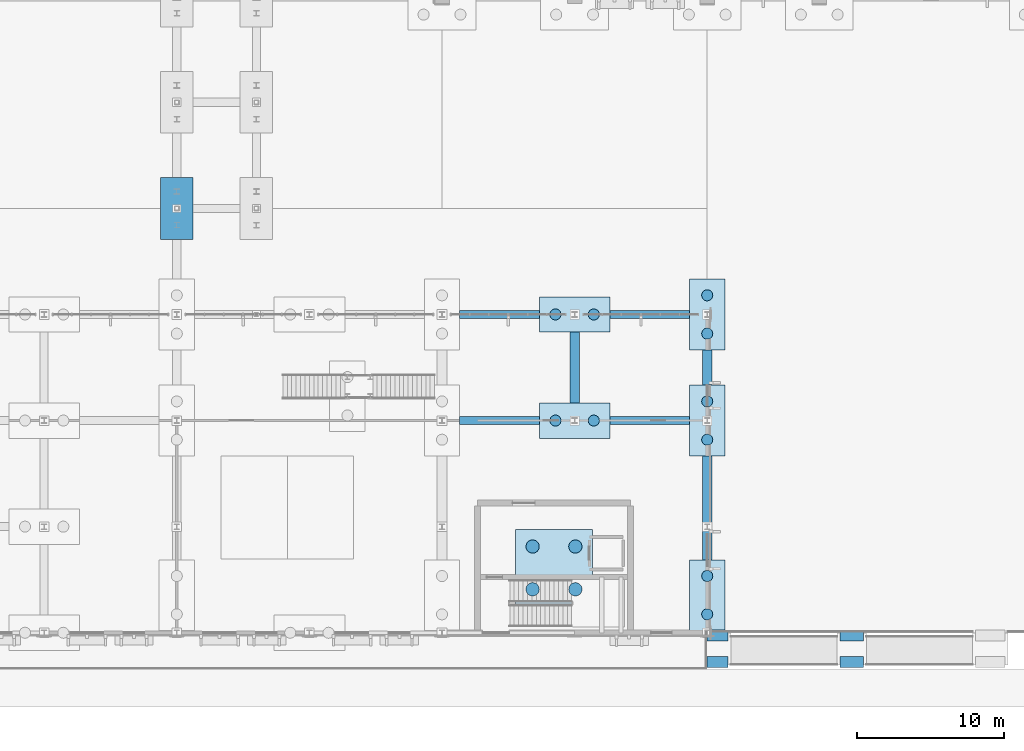
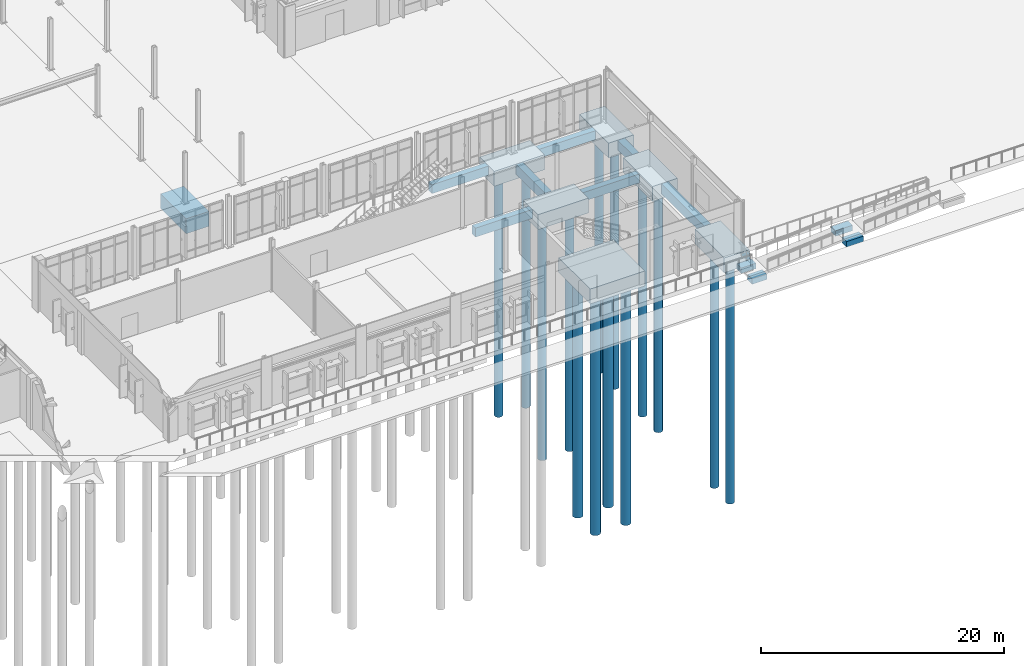
# One storey, part 5 of 94: 18 footings, 14 piles.
"""IFC4 building model written with IfcOpenShell, lengths in metres."""

import ifcopenshell
import ifcopenshell.guid

model = None  # the IFC model being written
_history = None  # IfcOwnerHistory: only IFC2X3 demands one
_inside = {}  # id of a spatial element -> (the spatial element, [elements in it])
_under = {}  # id of a project, library or spatial element -> (it, [spatial elements below it])
_declared = {}  # id of a project -> (the project, [libraries it declares])
_typed = {}  # id of a type object -> (the type object, [elements of that type])
_made_of = {}  # id of a material, layer set ... -> (it, [elements and type objects made of it])


def new_model(schema):
    """Start an empty IFC model of exactly this schema.

    Asked for "IFC4X3", IfcOpenShell would pick the latest addendum, in which some entities
    have other attributes; the version numbers below select the first issue.
    IFC2X3 requires an IfcOwnerHistory on every rooted entity: one is made here for all.
    """
    global model, _history
    if schema == "IFC4X3":
        model = ifcopenshell.file(schema_version=(4, 3, 0, 0))
    else:
        model = ifcopenshell.file(schema=schema)
    _inside.clear()
    _under.clear()
    _declared.clear()
    _typed.clear()
    _made_of.clear()
    _history = None
    if model.schema == "IFC2X3":
        org = make("IfcOrganization", Name="unknown")
        user = make(
            "IfcPersonAndOrganization",
            ThePerson=make("IfcPerson", FamilyName="unknown"),
            TheOrganization=org,
        )
        app = make(
            "IfcApplication",
            ApplicationDeveloper=org,
            Version="unknown",
            ApplicationFullName="unknown",
            ApplicationIdentifier="unknown",
        )
        _history = make(
            "IfcOwnerHistory",
            OwningUser=user,
            OwningApplication=app,
            ChangeAction="ADDED",
            CreationDate=0,
        )
    return model


def make(cls, **values):
    """One entity of the class cls with the attributes given. An attribute that is None is left unset."""
    return model.create_entity(
        cls, **{name: value for name, value in values.items() if value is not None}
    )


def rooted(cls, **values):
    """An entity with a GlobalId (a new one), such as an element, a storey or a relation."""
    return make(cls, GlobalId=ifcopenshell.guid.new(), OwnerHistory=_history, **values)


def si_unit(unit_type, name, prefix=None):
    """IfcSIUnit, for example si_unit("LENGTHUNIT", "METRE", prefix="MILLI")."""
    return make("IfcSIUnit", UnitType=unit_type, Prefix=prefix, Name=name)


def assignment(units):
    """IfcUnitAssignment: the units of a project."""
    return None if units is None else make("IfcUnitAssignment", Units=units)


def point(xyz):
    """IfcCartesianPoint."""
    return None if xyz is None else make("IfcCartesianPoint", Coordinates=xyz)


def direction(xyz):
    """IfcDirection."""
    return None if xyz is None else make("IfcDirection", DirectionRatios=xyz)


def frame(location, z_axis=None, x_axis=None):
    """IfcAxis2Placement3D, a coordinate frame: its origin and axes. An axis left out is left unset."""
    return make(
        "IfcAxis2Placement3D",
        Location=point(location),
        Axis=direction(z_axis),
        RefDirection=direction(x_axis),
    )


def frame_2d(location, x_axis=None):
    """IfcAxis2Placement2D, a coordinate frame in the plane: its origin and x axis."""
    return make(
        "IfcAxis2Placement2D", Location=point(location), RefDirection=direction(x_axis)
    )


def origin():
    """The frame at (0, 0, 0) with its axes left unset."""
    return frame((0.0, 0.0, 0.0))


def origin_2d():
    """The frame at (0, 0) in the plane with its x axis left unset."""
    return frame_2d((0.0, 0.0))


def place(relative_to, where):
    """IfcLocalPlacement: puts the frame where relative to a parent placement (None: the world)."""
    return make(
        "IfcLocalPlacement", PlacementRelTo=relative_to, RelativePlacement=where
    )


def context(
    kind, dimensions, precision=None, world=None, true_north=None, identifier=None
):
    """IfcGeometricRepresentationContext, for example the 3D "Model" context."""
    return make(
        "IfcGeometricRepresentationContext",
        ContextIdentifier=identifier,
        ContextType=kind,
        CoordinateSpaceDimension=dimensions,
        Precision=precision,
        WorldCoordinateSystem=world,
        TrueNorth=true_north,
    )


def subcontext(parent, identifier, kind, view, scale=None):
    """IfcGeometricRepresentationSubContext, for example "Body" below "Model"."""
    return make(
        "IfcGeometricRepresentationSubContext",
        ContextIdentifier=identifier,
        ContextType=kind,
        ParentContext=parent,
        TargetScale=scale,
        TargetView=view,
    )


def project(units=None, contexts=None):
    """IfcProject with its units and contexts."""
    return rooted(
        "IfcProject",
        Name="project",
        RepresentationContexts=contexts,
        UnitsInContext=assignment(units),
    )


def spatial(cls, under=None, at=None, **own):
    """A site, building, storey or space (cls), placed at a placement, below another one or the project."""
    s = rooted(cls, ObjectPlacement=at, **own)
    if under is not None:
        _under.setdefault(under.id(), (under, []))[1].append(s)
    return s


def profile(cls, at=None, kind="AREA", **sizes):
    """A parametric profile (cls). Its sizes go by their IFC names, for example OverallWidth=200.0."""
    return make(cls, ProfileType=kind, Position=at, **sizes)


def rectangle(**sizes):
    """IfcRectangleProfileDef."""
    return profile("IfcRectangleProfileDef", **sizes)


def circle(**sizes):
    """IfcCircleProfileDef."""
    return profile("IfcCircleProfileDef", **sizes)


def extrude(swept, where, along, depth):
    """IfcExtrudedAreaSolid: the profile swept, set in the frame where, extruded along a direction by depth."""
    return make(
        "IfcExtrudedAreaSolid",
        SweptArea=swept,
        Position=where,
        ExtrudedDirection=direction(along),
        Depth=depth,
    )


def shape(context_of_items, identifier, shape_type, items):
    """IfcShapeRepresentation: the items that make up one representation, for example the "Body"."""
    return make(
        "IfcShapeRepresentation",
        ContextOfItems=context_of_items,
        RepresentationIdentifier=identifier,
        RepresentationType=shape_type,
        Items=items,
    )


def material(Name=None, Category=None):
    """IfcMaterial."""
    return make("IfcMaterial", Name=Name, Category=Category)


def material_profile(
    of_material, cross_section, Name=None, Category=None, Priority=None
):
    """IfcMaterialProfile: a cross section and its material."""
    return make(
        "IfcMaterialProfile",
        Name=Name,
        Material=of_material,
        Profile=cross_section,
        Priority=Priority,
        Category=Category,
    )


def profile_set(profiles, Name=None, composite=None):
    """IfcMaterialProfileSet."""
    return make(
        "IfcMaterialProfileSet",
        Name=Name,
        MaterialProfiles=profiles,
        CompositeProfile=composite,
    )


def made_of(thing, what):
    """Note that an element or type object is made of a material, layer set ...; save() writes the relation."""
    if what is not None:
        _made_of.setdefault(what.id(), (what, []))[1].append(thing)
    return thing


def type_object(cls, material=None, **own):
    """A type object (cls), such as IfcWallType, which elements share."""
    return made_of(rooted(cls, **own), material)


def element(
    cls,
    number,
    at=None,
    inside=None,
    cuts=None,
    type_object=None,
    material=None,
    context=None,
    identifier="Body",
    shape_type=None,
    held_by="IfcProductDefinitionShape",
    body=None,
    shapes=None,
    **own,
):
    """One element of the class cls, such as IfcWall. Its Tag is "e" and its number.

    at: its placement. inside: the storey or other place that contains it. cuts: it is an
    opening in that element (IfcRelVoidsElement). A single representation is given by context,
    identifier, shape_type and body (its items); several are given by shapes. held_by: the class
    of the entity that holds the representations. save() writes the other relations.
    """
    e = rooted(cls, Tag="e%d" % number, ObjectPlacement=at, **own)
    if body is not None:
        shapes = [shape(context, identifier, shape_type, body)]
    if shapes is not None:
        e.Representation = make(held_by, Representations=shapes)
    if inside is not None:
        _inside.setdefault(inside.id(), (inside, []))[1].append(e)
    if cuts is not None:
        rooted(
            "IfcRelVoidsElement", RelatingBuildingElement=cuts, RelatedOpeningElement=e
        )
    if type_object is not None:
        _typed.setdefault(type_object.id(), (type_object, []))[1].append(e)
    return made_of(e, material)


def aggregate(whole, parts):
    """IfcRelAggregates: a whole, such as a stair, and the parts it consists of."""
    return rooted("IfcRelAggregates", RelatingObject=whole, RelatedObjects=parts)


def save(model, path):
    """Write the relations noted so far, then the file.

    IfcRelAggregates (storeys below a building ...), IfcRelContainedInSpatialStructure (elements
    in a storey), IfcRelDefinesByType, IfcRelAssociatesMaterial and IfcRelDeclares: one each for
    every whole, place, type object, material and project.
    """
    for whole, parts in _under.values():
        aggregate(whole, parts)
    for where, things in _inside.values():
        rooted(
            "IfcRelContainedInSpatialStructure",
            RelatedElements=things,
            RelatingStructure=where,
        )
    for kind, things in _typed.values():
        rooted("IfcRelDefinesByType", RelatedObjects=things, RelatingType=kind)
    for what, things in _made_of.values():
        rooted("IfcRelAssociatesMaterial", RelatedObjects=things, RelatingMaterial=what)
    for by, libraries in _declared.values():
        rooted("IfcRelDeclares", RelatingContext=by, RelatedDefinitions=libraries)
    model.write(path)


model = new_model("IFC4")

# Units and contexts
model_context = context("Model", 3, precision=1e-05, world=origin(), true_north=direction((0.0, 1.0)))
body_context = subcontext(model_context, "Body", "Model", "MODEL_VIEW")
ifc_project = project(units=[si_unit("LENGTHUNIT", "METRE"), si_unit("AREAUNIT", "SQUARE_METRE"), si_unit("VOLUMEUNIT", "CUBIC_METRE"), si_unit("PLANEANGLEUNIT", "RADIAN"), si_unit("MASSUNIT", "GRAM", prefix="KILO")], contexts=[model_context])

# Site, building, storey
site_placement = place(None, origin())
site = spatial("IfcSite", under=ifc_project, at=site_placement, CompositionType="ELEMENT")
building_placement = place(site_placement, origin())
building = spatial("IfcBuilding", under=site, at=building_placement, Name="Vervanel Yard Central Library", CompositionType="ELEMENT")
storey_placement = place(building_placement, origin())
storey = spatial("IfcBuildingStorey", under=building, at=storey_placement, Name="L00", CompositionType="ELEMENT", Elevation=0.0)

# Piles
ifc_material = material(Name="Concrete C40/50", Category="concrete")
ifc_material_profile_1 = material_profile(ifc_material, circle(Radius=0.375, at=origin_2d()), Name="BP D750", Category="concrete")
ifc_profile_set_1 = profile_set([ifc_material_profile_1], Name="Concrete C40/50")
pile_type_1 = type_object("IfcPileType", Name="Bored Concrete Pile D750", PredefinedType="BORED", material=ifc_profile_set_1)
for number, where, z_axis, x_axis, name in (
    (1, (108.0, 1.25, -1.75), (0.0, 0.0, -1.0), (1.0, 0.0, 0.0), "Bored Concrete Pile 505 under PCAP-150"),
    (2, (108.0, 3.85009765625, -1.75), (0.0, 0.0, -1.0), (1.0, 0.0, 0.0), "Bored Concrete Pile 506 under PCAP-150"),
    (3, (108.0, 13.10009765625, -1.75), (0.0, 0.0, -1.0), (1.0, 0.0, 0.0), "Bored Concrete Pile 507 under PCAP-151"),
    (4, (108.0, 15.699951171875, -1.75), (0.0, 0.0, -1.0), (1.0, 0.0, 0.0), "Bored Concrete Pile 508 under PCAP-151"),
    (5, (108.0, 20.300048828125, -1.75), (0.0, 0.0, -1.0), (1.0, 0.0, 0.0), "Bored Concrete Pile 509 under PCAP-152"),
    (6, (108.0, 22.89990234375, -1.75), (0.0, 0.0, -1.0), (1.0, 0.0, 0.0), "Bored Concrete Pile 510 under PCAP-152"),
    (7, (97.699951171875, 14.39990234375, -1.75), (0.0, 0.0, -1.0), (1.0, 0.0, 0.0), "Bored Concrete Pile 597 under PCAP-196"),
    (8, (100.300048828125, 14.39990234375, -1.75), (0.0, 0.0, -1.0), (1.0, 0.0, 0.0), "Bored Concrete Pile 598 under PCAP-196"),
    (9, (97.699951171875, 21.60009765625, -1.75), (0.0, 0.0, -1.0), (1.0, 0.0, 0.0), "Bored Concrete Pile 599 under PCAP-197"),
    (10, (100.300048828125, 21.60009765625, -1.75), (0.0, 0.0, -1.0), (1.0, 0.0, 0.0), "Bored Concrete Pile 600 under PCAP-197"),
):
    element("IfcPile", number, at=place(storey_placement, frame(where, z_axis=z_axis, x_axis=x_axis)), inside=storey, type_object=pile_type_1, Name=name, PredefinedType="BORED", context=body_context, shape_type="SweptSolid", body=[
        extrude(circle(Radius=0.375, at=origin_2d()), origin(), (0.0, 0.0, 1.0), 24.25),
    ])
ifc_material_profile_2 = material_profile(ifc_material, circle(Radius=0.449951171875, at=origin_2d()), Name="BP D900", Category="concrete")
ifc_profile_set_2 = profile_set([ifc_material_profile_2], Name="Concrete C40/50")
pile_type_2 = type_object("IfcPileType", Name="Bored Concrete Pile D900", PredefinedType="BORED", material=ifc_profile_set_2)
for number, where, z_axis, x_axis, name in (
    (11, (96.14990234375, 2.949951171875, -1.75), (0.0, 0.0, -1.0), (1.0, 0.0, 0.0), "Bored Concrete Pile 145 under PCAP-035"),
    (12, (99.050048828125, 2.949951171875, -1.75), (0.0, 0.0, -1.0), (1.0, 0.0, 0.0), "Bored Concrete Pile 146 under PCAP-035"),
    (13, (96.14990234375, 5.85009765625, -1.75), (0.0, 0.0, -1.0), (1.0, 0.0, 0.0), "Bored Concrete Pile 147 under PCAP-035"),
    (14, (99.050048828125, 5.85009765625, -1.75), (0.0, 0.0, -1.0), (1.0, 0.0, 0.0), "Bored Concrete Pile 148 under PCAP-035"),
):
    element("IfcPile", number, at=place(storey_placement, frame(where, z_axis=z_axis, x_axis=x_axis)), inside=storey, type_object=pile_type_2, Name=name, PredefinedType="BORED", context=body_context, shape_type="SweptSolid", body=[
        extrude(circle(Radius=0.449951171875, at=origin_2d()), origin(), (0.0, 0.0, 1.0), 24.25),
    ])

# Footings
footing_type_1 = type_object("IfcFootingType", Name="Bridge Pier 2-Pile Cap 2200x4200x1500", PredefinedType="PILE_CAP", material=ifc_material)
footing_1_placement = place(storey_placement, frame((72.0, 28.800048828125, -1.50390625), z_axis=(0.0, 0.0, 1.0), x_axis=(1.0, 0.0, 0.0)))
element("IfcFooting", 15, at=footing_1_placement, inside=storey, type_object=footing_type_1, Name="Combined Pile Cap PCAP-203 (PC-06)", PredefinedType="PILE_CAP", context=body_context, shape_type="SweptSolid", body=[
    extrude(rectangle(XDim=2.199951171875, YDim=4.199951171875, at=origin_2d()), origin(), (0.0, 0.0, 1.0), 1.5),
])
footing_type_2 = type_object("IfcFootingType", Name="Combined 2-Pile Cap 2400x4800x1500", PredefinedType="PILE_CAP", material=ifc_material)
for number, where, z_axis, x_axis, name in (
    (16, (108.0, 2.550048828125, -1.89990234375), (0.0, 0.0, 1.0), (1.0, 0.0, 0.0), "Combined Pile Cap PCAP-150 (PC-01)"),
    (17, (108.0, 14.39990234375, -1.89990234375), (0.0, 0.0, 1.0), (1.0, 0.0, 0.0), "Combined Pile Cap PCAP-151 (PC-01)"),
    (18, (108.0, 21.60009765625, -1.89990234375), (0.0, 0.0, 1.0), (1.0, 0.0, 0.0), "Combined Pile Cap PCAP-152 (PC-01)"),
):
    element("IfcFooting", number, at=place(storey_placement, frame(where, z_axis=z_axis, x_axis=x_axis)), inside=storey, type_object=footing_type_2, Name=name, PredefinedType="PILE_CAP", context=body_context, shape_type="SweptSolid", body=[
        extrude(rectangle(XDim=2.39990234375, YDim=4.800048828125, at=origin_2d()), origin(), (0.0, 0.0, 1.0), 1.5),
    ])
footing_type_3 = type_object("IfcFootingType", Name="Combined 2-Pile Cap 4800x2400x1500", PredefinedType="PILE_CAP", material=ifc_material)
for number, where, z_axis, x_axis, name in (
    (19, (99.0, 14.39990234375, -1.89990234375), (0.0, 0.0, 1.0), (1.0, 0.0, 0.0), "Combined Pile Cap PCAP-196 (PC-02)"),
    (20, (99.0, 21.60009765625, -1.89990234375), (0.0, 0.0, 1.0), (1.0, 0.0, 0.0), "Combined Pile Cap PCAP-197 (PC-02)"),
):
    element("IfcFooting", number, at=place(storey_placement, frame(where, z_axis=z_axis, x_axis=x_axis)), inside=storey, type_object=footing_type_3, Name=name, PredefinedType="PILE_CAP", context=body_context, shape_type="SweptSolid", body=[
        extrude(rectangle(XDim=4.800048828125, YDim=2.39990234375, at=origin_2d()), origin(), (0.0, 0.0, 1.0), 1.5),
    ])
footing_type_4 = type_object("IfcFootingType", Name="Combined 4-Pile Heavy Cap 5200x5200x1500", PredefinedType="PILE_CAP", material=ifc_material)
footing_2_placement = place(storey_placement, frame((97.60009765625, 4.39990234375, -1.89990234375), z_axis=(0.0, 0.0, 1.0), x_axis=(1.0, 0.0, 0.0)))
element("IfcFooting", 21, at=footing_2_placement, inside=storey, type_object=footing_type_4, Name="Combined Pile Cap PCAP-035 (PC-04)", PredefinedType="PILE_CAP", context=body_context, shape_type="SweptSolid", body=[
    extrude(rectangle(XDim=5.199951171875, YDim=5.199951171875, at=origin_2d()), origin(), (0.0, 0.0, 1.0), 1.5),
])
ifc_material_profile_3 = material_profile(ifc_material, rectangle(XDim=0.550048828125, YDim=0.89990234375, at=origin_2d()), Name="RC 550x900", Category="concrete")
ifc_profile_set_3 = profile_set([ifc_material_profile_3], Name="Concrete C40/50")
footing_type_5 = type_object("IfcFootingType", Name="Concrete Footing Beam 550x900", PredefinedType="FOOTING_BEAM", material=ifc_profile_set_3)
for number, where, z_axis, x_axis, name in (
    (22, (91.199951171875, 14.39990234375, -0.8701171875), (1.0, 0.0, 0.0), (0.0, 1.0, 0.0), "Concrete Footing Beam FB-X-012"),
    (23, (101.39990234375, 14.39990234375, -0.8701171875), (1.0, 0.0, 0.0), (0.0, 1.0, 0.0), "Concrete Footing Beam FB-X-013"),
    (24, (91.199951171875, 21.60009765625, -0.8701171875), (1.0, 0.0, 0.0), (0.0, 1.0, 0.0), "Concrete Footing Beam FB-X-025"),
    (25, (101.39990234375, 21.60009765625, -0.8701171875), (1.0, 0.0, 0.0), (0.0, 1.0, 0.0), "Concrete Footing Beam FB-X-026"),
):
    element("IfcFooting", number, at=place(storey_placement, frame(where, z_axis=z_axis, x_axis=x_axis)), inside=storey, type_object=footing_type_5, Name=name, PredefinedType="FOOTING_BEAM", context=body_context, shape_type="SweptSolid", body=[
        extrude(rectangle(XDim=0.550048828125, YDim=0.89990234375, at=origin_2d()), origin(), (0.0, 0.0, 1.0), 5.400146484375),
    ])
ifc_material_profile_4 = material_profile(ifc_material, rectangle(XDim=0.64990234375, YDim=1.0, at=origin_2d()), Name="RC 650x1000", Category="concrete")
ifc_profile_set_4 = profile_set([ifc_material_profile_4], Name="Concrete C40/50")
footing_type_6 = type_object("IfcFootingType", Name="Concrete Footing Beam 650x1000", PredefinedType="FOOTING_BEAM", material=ifc_profile_set_4)
footing_3_placement = place(storey_placement, frame((99.0, 15.60009765625, -0.919921875), z_axis=(0.0, 1.0, 0.0), x_axis=(-1.0, 0.0, 0.0)))
element("IfcFooting", 26, at=footing_3_placement, inside=storey, type_object=footing_type_6, Name="Concrete Footing Beam FB-Y-240", PredefinedType="FOOTING_BEAM", context=body_context, shape_type="SweptSolid", body=[
    extrude(rectangle(XDim=0.64990234375, YDim=1.0, at=origin_2d()), origin(), (0.0, 0.0, 1.0), 4.7998046875),
])
footing_4_placement = place(storey_placement, frame((108.0, 4.949951171875, -0.919921875), z_axis=(0.0, 1.0, 0.0), x_axis=(-1.0, 0.0, 0.0)))
element("IfcFooting", 27, at=footing_4_placement, inside=storey, type_object=footing_type_6, Name="Concrete Footing Beam FB-Y-249", PredefinedType="FOOTING_BEAM", context=body_context, shape_type="SweptSolid", body=[
    extrude(rectangle(XDim=0.64990234375, YDim=1.0, at=origin_2d()), origin(), (0.0, 0.0, 1.0), 7.050048828125),
])
footing_5_placement = place(storey_placement, frame((108.0, 16.800048828125, -0.919921875), z_axis=(0.0, 1.0, 0.0), x_axis=(-1.0, 0.0, 0.0)))
element("IfcFooting", 28, at=footing_5_placement, inside=storey, type_object=footing_type_6, Name="Concrete Footing Beam FB-Y-250", PredefinedType="FOOTING_BEAM", context=body_context, shape_type="SweptSolid", body=[
    extrude(rectangle(XDim=0.64990234375, YDim=1.0, at=origin_2d()), origin(), (0.0, 0.0, 1.0), 2.39990234375),
])
ifc_material_profile_5 = material_profile(ifc_material, rectangle(XDim=0.75, YDim=0.550048828125, at=origin_2d()), Name="RC 750x550", Category="concrete")
ifc_profile_set_5 = profile_set([ifc_material_profile_5], Name="Concrete C40/50")
footing_type_7 = type_object("IfcFootingType", Name="Concrete Plinth Strip Footing 750x550", PredefinedType="STRIP_FOOTING", material=ifc_profile_set_5)
for number, where, z_axis, x_axis, name in (
    (29, (108.0, -2.0, -1.675048828125), (1.0, 0.0, 0.0), (0.0, 1.0, 0.0), "Ramp RM-01 Landing Strip Footing 1"),
    (30, (108.0, -0.199951171875, -1.675048828125), (1.0, 0.0, 0.0), (0.0, 1.0, 0.0), "Ramp RM-01 Landing Strip Footing 2"),
):
    element("IfcFooting", number, at=place(storey_placement, frame(where, z_axis=z_axis, x_axis=x_axis)), inside=storey, type_object=footing_type_7, Name=name, PredefinedType="STRIP_FOOTING", context=body_context, shape_type="SweptSolid", body=[
        extrude(rectangle(XDim=0.75, YDim=0.550048828125, at=origin_2d()), origin(), (0.0, 0.0, 1.0), 1.39990234375),
    ])
for number, where, z_axis, x_axis, name in (
    (31, (117.0, -2.0, -1.074951171875), (1.0, 0.0, 0.0), (0.0, 1.0, 0.0), "Ramp RM-01 Landing Strip Footing 3"),
    (32, (117.0, -0.199951171875, -1.074951171875), (1.0, 0.0, 0.0), (0.0, 1.0, 0.0), "Ramp RM-01 Landing Strip Footing 4"),
):
    element("IfcFooting", number, at=place(storey_placement, frame(where, z_axis=z_axis, x_axis=x_axis)), inside=storey, type_object=footing_type_7, Name=name, PredefinedType="STRIP_FOOTING", context=body_context, shape_type="SweptSolid", body=[
        extrude(rectangle(XDim=0.75, YDim=0.550048828125, at=origin_2d()), origin(), (0.0, 0.0, 1.0), 1.60009765625),
    ])

save(model, "model.ifc")
